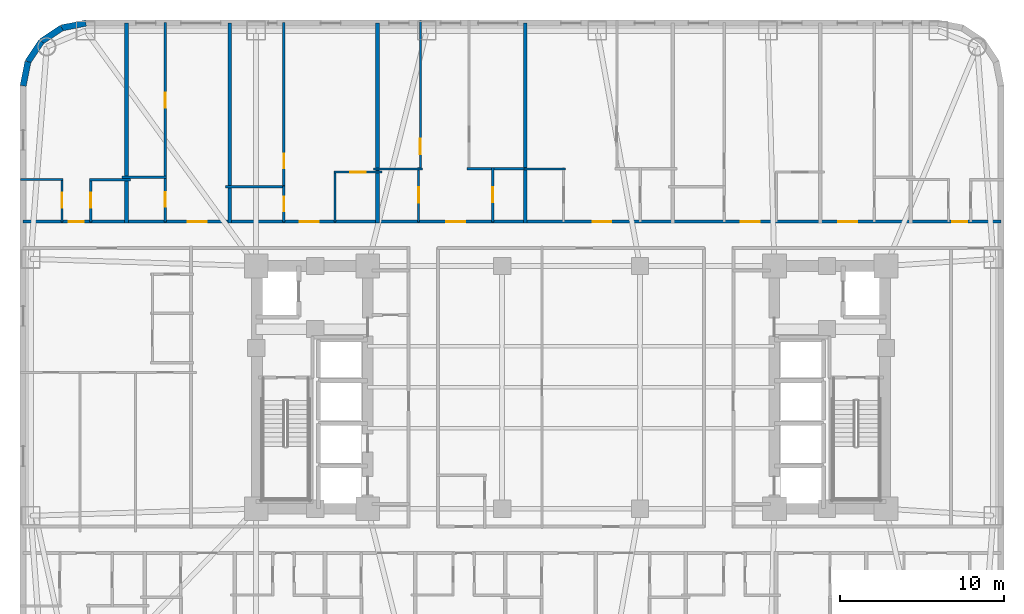
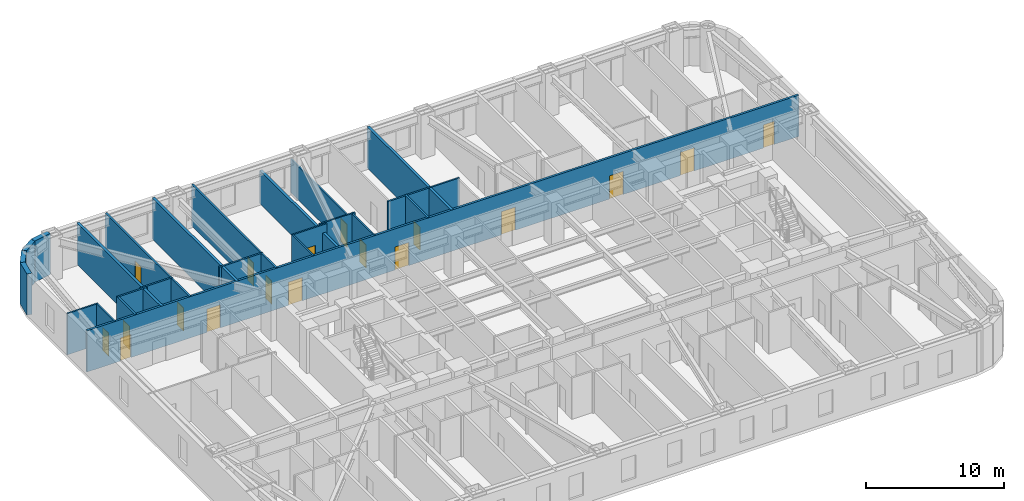
# One storey, part 7 of 11: 27 walls, 18 doors, 18 openings.
"""IFC4 building model written with IfcOpenShell, lengths in metres."""

from ifc_helpers import new_model, si_unit, direction, frame, frame_2d, origin, place, context, subcontext, project, spatial, rectangle, extrude, material, layer, layer_set, type_object, element, fill, save


model = new_model("IFC4")

# Units and contexts
model_context = context("Model", 3, precision=1e-05, world=origin(), true_north=direction((0.0, 1.0)))
body_context = subcontext(model_context, "Body", "Model", "MODEL_VIEW")
ifc_project = project(units=[si_unit("LENGTHUNIT", "METRE"), si_unit("AREAUNIT", "SQUARE_METRE"), si_unit("VOLUMEUNIT", "CUBIC_METRE"), si_unit("PLANEANGLEUNIT", "RADIAN"), si_unit("MASSUNIT", "GRAM", prefix="KILO")], contexts=[model_context])

# Site, building, storey
site_placement = place(None, origin())
site = spatial("IfcSite", under=ifc_project, at=site_placement, CompositionType="ELEMENT")
building_placement = place(site_placement, origin())
building = spatial("IfcBuilding", under=site, at=building_placement, Name="Voryun Gate Residences", CompositionType="ELEMENT")
storey_placement = place(building_placement, frame((0.0, 0.0, 68.89990234375)))
storey = spatial("IfcBuildingStorey", under=building, at=storey_placement, Name="L16", CompositionType="ELEMENT", Elevation=68.89990234375)

# Wall, openings, doors
ifc_material_1 = material(Name="Gypsum acoustic fireboard")
ifc_layer_1 = layer(ifc_material_1, 0.179931640625, Name="W_CORR_RATED_180")
ifc_layer_set_1 = layer_set([ifc_layer_1], Name="Gypsum acoustic fireboard")
wall_type_1 = type_object("IfcWallType", Name="W_CORR_RATED_180", PredefinedType="PARTITIONING", material=ifc_layer_set_1)
wall_1_placement = place(storey_placement, frame((-33.409912109375, 10.10009765625, 0.0), z_axis=(0.0, 0.0, 1.0), x_axis=(1.0, 0.0, 0.0)))
wall_1 = element("IfcWall", 1, at=wall_1_placement, inside=storey, type_object=wall_type_1, Name="Partition wall WP-L16-NCORR", PredefinedType="PARTITIONING", context=body_context, shape_type="SweptSolid", body=[
    extrude(rectangle(XDim=59.619873046875, YDim=0.179931640625, at=frame_2d((29.81005859375, 0.0))), origin(), (0.0, 0.0, 1.0), 3.650146484375),
])
opening_1_placement = place(wall_1_placement, frame((2.793212890625, 0.0, 0.0)))
opening_1 = element("IfcOpeningElement", 2, at=opening_1_placement, cuts=wall_1, Name="Opening D-INT-2", PredefinedType="OPENING", context=body_context, shape_type="SweptSolid", body=[
    extrude(rectangle(XDim=0.89990234375, YDim=2.050048828125, at=frame_2d((0.449951171875, 1.02490234375))), frame((0.0, 0.099853515625, 0.0), z_axis=(0.0, -1.0, 0.0), x_axis=(1.0, 0.0, 0.0)), (0.0, 0.0, 1.0), 0.199951171875),
])
opening_2_placement = place(wall_1_placement, frame((10.037353515625, 0.0, 0.0)))
opening_2 = element("IfcOpeningElement", 3, at=opening_2_placement, cuts=wall_1, Name="Opening D-UNIT-1", PredefinedType="OPENING", context=body_context, shape_type="SweptSolid", body=[
    extrude(rectangle(XDim=1.14990234375, YDim=2.050048828125, at=frame_2d((0.574951171875, 1.02490234375))), frame((0.0, 0.099853515625, 0.0), z_axis=(0.0, -1.0, 0.0), x_axis=(1.0, 0.0, 0.0)), (0.0, 0.0, 1.0), 0.199951171875),
])
opening_3_placement = place(wall_1_placement, frame((16.881591796875, 0.0, 0.0)))
opening_3 = element("IfcOpeningElement", 4, at=opening_3_placement, cuts=wall_1, Name="Opening D-UNIT-1", PredefinedType="OPENING", context=body_context, shape_type="SweptSolid", body=[
    extrude(rectangle(XDim=1.14990234375, YDim=2.050048828125, at=frame_2d((0.574951171875, 1.02490234375))), frame((0.0, 0.099853515625, 0.0), z_axis=(0.0, -1.0, 0.0), x_axis=(1.0, 0.0, 0.0)), (0.0, 0.0, 1.0), 0.199951171875),
])
opening_4_placement = place(wall_1_placement, frame((25.80078125, 0.0, 0.0)))
opening_4 = element("IfcOpeningElement", 5, at=opening_4_placement, cuts=wall_1, Name="Opening D-UNIT-1", PredefinedType="OPENING", context=body_context, shape_type="SweptSolid", body=[
    extrude(rectangle(XDim=1.14990234375, YDim=2.050048828125, at=frame_2d((0.574951171875, 1.02490234375))), frame((0.0, 0.099853515625, 0.0), z_axis=(0.0, -1.0, 0.0), x_axis=(1.0, 0.0, 0.0)), (0.0, 0.0, 1.0), 0.199951171875),
])
opening_5_placement = place(wall_1_placement, frame((34.719970703125, 0.0, 0.0)))
opening_5 = element("IfcOpeningElement", 6, at=opening_5_placement, cuts=wall_1, Name="Opening D-UNIT-1", PredefinedType="OPENING", context=body_context, shape_type="SweptSolid", body=[
    extrude(rectangle(XDim=1.14990234375, YDim=2.050048828125, at=frame_2d((0.574951171875, 1.02490234375))), frame((0.0, 0.099853515625, 0.0), z_axis=(0.0, -1.0, 0.0), x_axis=(1.0, 0.0, 0.0)), (0.0, 0.0, 1.0), 0.199951171875),
])
opening_6_placement = place(wall_1_placement, frame((43.7705078125, 0.0, 0.0)))
opening_6 = element("IfcOpeningElement", 7, at=opening_6_placement, cuts=wall_1, Name="Opening D-UNIT-1", PredefinedType="OPENING", context=body_context, shape_type="SweptSolid", body=[
    extrude(rectangle(XDim=1.14990234375, YDim=2.050048828125, at=frame_2d((0.574951171875, 1.02490234375))), frame((0.0, 0.099853515625, 0.0), z_axis=(0.0, -1.0, 0.0), x_axis=(1.0, 0.0, 0.0)), (0.0, 0.0, 1.0), 0.199951171875),
])
opening_7_placement = place(wall_1_placement, frame((49.714599609375, 0.0, 0.0)))
opening_7 = element("IfcOpeningElement", 8, at=opening_7_placement, cuts=wall_1, Name="Opening D-UNIT-1", PredefinedType="OPENING", context=body_context, shape_type="SweptSolid", body=[
    extrude(rectangle(XDim=1.14990234375, YDim=2.050048828125, at=frame_2d((0.574951171875, 1.02490234375))), frame((0.0, 0.099853515625, 0.0), z_axis=(0.0, -1.0, 0.0), x_axis=(1.0, 0.0, 0.0)), (0.0, 0.0, 1.0), 0.199951171875),
])
opening_8_placement = place(wall_1_placement, frame((56.654052734375, 0.0, 0.0)))
opening_8 = element("IfcOpeningElement", 9, at=opening_8_placement, cuts=wall_1, Name="Opening D-INT-2", PredefinedType="OPENING", context=body_context, shape_type="SweptSolid", body=[
    extrude(rectangle(XDim=0.89990234375, YDim=2.050048828125, at=frame_2d((0.449951171875, 1.02490234375))), frame((0.0, 0.099853515625, 0.0), z_axis=(0.0, -1.0, 0.0), x_axis=(1.0, 0.0, 0.0)), (0.0, 0.0, 1.0), 0.199951171875),
])
ifc_material_2 = material(Name="Architectural oak veneer")
door_type_1 = type_object("IfcDoorType", Name="DR_INT_BATH_900", OperationType="NOTDEFINED", PredefinedType="DOOR", material=ifc_material_2)
door_1_placement = place(opening_1_placement, origin())
door_1 = element("IfcDoor", 10, at=door_1_placement, inside=storey, type_object=door_type_1, Name="Door DR-L16-NENT-1", OperationType="SINGLE_SWING_LEFT", OverallHeight=2.050048828125, OverallWidth=0.89990234375, PredefinedType="DOOR", context=body_context, shape_type="SweptSolid", body=[
    extrude(rectangle(XDim=0.89990234375, YDim=2.050048828125, at=frame_2d((0.449951171875, 1.02490234375))), frame((0.0, 0.02490234375, 0.0), z_axis=(0.0, -1.0, 0.0), x_axis=(1.0, 0.0, 0.0)), (0.0, 0.0, 1.0), 0.050048828125),
])
fill(opening_1, door_1)
door_2_placement = place(opening_8_placement, origin())
door_2 = element("IfcDoor", 11, at=door_2_placement, inside=storey, type_object=door_type_1, Name="Door DR-L16-NENT-8", OperationType="SINGLE_SWING_RIGHT", OverallHeight=2.050048828125, OverallWidth=0.89990234375, PredefinedType="DOOR", context=body_context, shape_type="SweptSolid", body=[
    extrude(rectangle(XDim=0.89990234375, YDim=2.050048828125, at=frame_2d((0.449951171875, 1.02490234375))), frame((0.0, 0.02490234375, 0.0), z_axis=(0.0, -1.0, 0.0), x_axis=(1.0, 0.0, 0.0)), (0.0, 0.0, 1.0), 0.050048828125),
])
fill(opening_8, door_2)
ifc_material_3 = material(Name="Armoured timber-clad fire door", Category="wood")
door_type_2 = type_object("IfcDoorType", Name="DR_UNIT_ENTRY_1150", OperationType="NOTDEFINED", PredefinedType="DOOR", material=ifc_material_3)
door_3_placement = place(opening_2_placement, origin())
door_3 = element("IfcDoor", 12, at=door_3_placement, inside=storey, type_object=door_type_2, Name="Door DR-L16-NENT-2", OperationType="SINGLE_SWING_RIGHT", OverallHeight=2.050048828125, OverallWidth=1.14990234375, PredefinedType="DOOR", context=body_context, shape_type="SweptSolid", body=[
    extrude(rectangle(XDim=1.14990234375, YDim=2.050048828125, at=frame_2d((0.574951171875, 1.02490234375))), frame((0.0, 0.02490234375, 0.0), z_axis=(0.0, -1.0, 0.0), x_axis=(1.0, 0.0, 0.0)), (0.0, 0.0, 1.0), 0.050048828125),
])
fill(opening_2, door_3)
door_4_placement = place(opening_3_placement, origin())
door_4 = element("IfcDoor", 13, at=door_4_placement, inside=storey, type_object=door_type_2, Name="Door DR-L16-NENT-3", OperationType="SINGLE_SWING_LEFT", OverallHeight=2.050048828125, OverallWidth=1.14990234375, PredefinedType="DOOR", context=body_context, shape_type="SweptSolid", body=[
    extrude(rectangle(XDim=1.14990234375, YDim=2.050048828125, at=frame_2d((0.574951171875, 1.02490234375))), frame((0.0, 0.02490234375, 0.0), z_axis=(0.0, -1.0, 0.0), x_axis=(1.0, 0.0, 0.0)), (0.0, 0.0, 1.0), 0.050048828125),
])
fill(opening_3, door_4)
door_5_placement = place(opening_4_placement, origin())
door_5 = element("IfcDoor", 14, at=door_5_placement, inside=storey, type_object=door_type_2, Name="Door DR-L16-NENT-4", OperationType="SINGLE_SWING_RIGHT", OverallHeight=2.050048828125, OverallWidth=1.14990234375, PredefinedType="DOOR", context=body_context, shape_type="SweptSolid", body=[
    extrude(rectangle(XDim=1.14990234375, YDim=2.050048828125, at=frame_2d((0.574951171875, 1.02490234375))), frame((0.0, 0.02490234375, 0.0), z_axis=(0.0, -1.0, 0.0), x_axis=(1.0, 0.0, 0.0)), (0.0, 0.0, 1.0), 0.050048828125),
])
fill(opening_4, door_5)
door_6_placement = place(opening_5_placement, origin())
door_6 = element("IfcDoor", 15, at=door_6_placement, inside=storey, type_object=door_type_2, Name="Door DR-L16-NENT-5", OperationType="SINGLE_SWING_LEFT", OverallHeight=2.050048828125, OverallWidth=1.14990234375, PredefinedType="DOOR", context=body_context, shape_type="SweptSolid", body=[
    extrude(rectangle(XDim=1.14990234375, YDim=2.050048828125, at=frame_2d((0.574951171875, 1.02490234375))), frame((0.0, 0.02490234375, 0.0), z_axis=(0.0, -1.0, 0.0), x_axis=(1.0, 0.0, 0.0)), (0.0, 0.0, 1.0), 0.050048828125),
])
fill(opening_5, door_6)
door_7_placement = place(opening_6_placement, origin())
door_7 = element("IfcDoor", 16, at=door_7_placement, inside=storey, type_object=door_type_2, Name="Door DR-L16-NENT-6", OperationType="SINGLE_SWING_RIGHT", OverallHeight=2.050048828125, OverallWidth=1.14990234375, PredefinedType="DOOR", context=body_context, shape_type="SweptSolid", body=[
    extrude(rectangle(XDim=1.14990234375, YDim=2.050048828125, at=frame_2d((0.574951171875, 1.02490234375))), frame((0.0, 0.02490234375, 0.0), z_axis=(0.0, -1.0, 0.0), x_axis=(1.0, 0.0, 0.0)), (0.0, 0.0, 1.0), 0.050048828125),
])
fill(opening_6, door_7)
door_8_placement = place(opening_7_placement, origin())
door_8 = element("IfcDoor", 17, at=door_8_placement, inside=storey, type_object=door_type_2, Name="Door DR-L16-NENT-7", OperationType="SINGLE_SWING_LEFT", OverallHeight=2.050048828125, OverallWidth=1.14990234375, PredefinedType="DOOR", context=body_context, shape_type="SweptSolid", body=[
    extrude(rectangle(XDim=1.14990234375, YDim=2.050048828125, at=frame_2d((0.574951171875, 1.02490234375))), frame((0.0, 0.02490234375, 0.0), z_axis=(0.0, -1.0, 0.0), x_axis=(1.0, 0.0, 0.0)), (0.0, 0.0, 1.0), 0.050048828125),
])
fill(opening_7, door_8)

# Walls
ifc_material_4 = material(Name="Granite masonry", Category="masonry")
ifc_layer_2 = layer(ifc_material_4, 0.3798828125, Name="W_EXT_GRANITE_380")
ifc_layer_set_2 = layer_set([ifc_layer_2], Name="Granite masonry")
wall_type_2 = type_object("IfcWallType", Name="W_EXT_GRANITE_380", PredefinedType="ELEMENTEDWALL", material=ifc_layer_set_2)
wall_2_placement = place(storey_placement, frame((-33.409912109375, 18.38134765625, 0.0), z_axis=(0.0, 0.0, 1.0), x_axis=(0.195086038585, 0.980786132421, 0.0)))
element("IfcWall", 18, at=wall_2_placement, inside=storey, type_object=wall_type_2, Name="Exterior wall WEXT-L16-07", PredefinedType="ELEMENTEDWALL", context=body_context, shape_type="SweptSolid", body=[
    extrude(rectangle(XDim=1.504150390625, YDim=0.3798828125, at=frame_2d((0.751953125, 0.0))), origin(), (0.0, 0.0, 1.0), 3.650146484375),
])
wall_3_placement = place(storey_placement, frame((-33.116455078125, 19.856689453125, 0.0), z_axis=(0.0, 0.0, 1.0), x_axis=(0.555572577804, 0.831468045563, 0.0)))
element("IfcWall", 19, at=wall_3_placement, inside=storey, type_object=wall_type_2, Name="Exterior wall WEXT-L16-08", PredefinedType="ELEMENTEDWALL", context=body_context, shape_type="SweptSolid", body=[
    extrude(rectangle(XDim=1.48486328125, YDim=0.3798828125, at=frame_2d((0.742431640625, 0.0))), origin(), (0.0, 0.0, 1.0), 3.650146484375),
])
wall_4_placement = place(storey_placement, frame((-32.29150390625, 21.09130859375, 0.0), z_axis=(0.0, 0.0, 1.0), x_axis=(0.831442848281, 0.555610286119, 0.0)))
element("IfcWall", 20, at=wall_4_placement, inside=storey, type_object=wall_type_2, Name="Exterior wall WEXT-L16-09", PredefinedType="ELEMENTEDWALL", context=body_context, shape_type="SweptSolid", body=[
    extrude(rectangle(XDim=1.485107421875, YDim=0.3798828125, at=frame_2d((0.74267578125, 0.0))), origin(), (0.0, 0.0, 1.0), 3.650146484375),
])
wall_5_placement = place(storey_placement, frame((-31.056640625, 21.91650390625, 0.0), z_axis=(0.0, 0.0, 1.0), x_axis=(0.980786132421, 0.195086038585, 0.0)))
element("IfcWall", 21, at=wall_5_placement, inside=storey, type_object=wall_type_2, Name="Exterior wall WEXT-L16-10", PredefinedType="ELEMENTEDWALL", context=body_context, shape_type="SweptSolid", body=[
    extrude(rectangle(XDim=1.504150390625, YDim=0.3798828125, at=frame_2d((0.751953125, 0.0))), origin(), (0.0, 0.0, 1.0), 3.650146484375),
])
ifc_material_5 = material(Name="Concrete C40/50", Category="concrete")
ifc_layer_3 = layer(ifc_material_5, 0.219970703125, Name="W_PARTY_ACOUSTIC_220")
ifc_layer_set_3 = layer_set([ifc_layer_3], Name="Concrete C40/50")
wall_type_3 = type_object("IfcWallType", Name="W_PARTY_ACOUSTIC_220", PredefinedType="PARTITIONING", material=ifc_layer_set_3)
for number, where, z_axis, x_axis, name in (
    (22, (-27.10888671875, 10.02001953125, 0.0), (0.0, 0.0, 1.0), (0.0, 1.0, 0.0), "Partition wall WP-L16-NPTY-1"),
    (23, (-20.800048828125, 10.02001953125, 0.0), (0.0, 0.0, 1.0), (0.0, 1.0, 0.0), "Partition wall WP-L16-NPTY-2"),
):
    element("IfcWall", number, at=place(storey_placement, frame(where, z_axis=z_axis, x_axis=x_axis)), inside=storey, type_object=wall_type_3, Name=name, PredefinedType="PARTITIONING", context=body_context, shape_type="SweptSolid", body=[
        extrude(rectangle(XDim=12.18994140625, YDim=0.219970703125, at=frame_2d((6.094970703125, 0.0))), origin(), (0.0, 0.0, 1.0), 3.650146484375),
    ])
wall_6_placement = place(storey_placement, frame((-11.800048828125, 10.02001953125, 0.0), z_axis=(0.0, 0.0, 1.0), x_axis=(0.0, 1.0, 0.0)))
element("IfcWall", 24, at=wall_6_placement, inside=storey, type_object=wall_type_3, Name="Partition wall WP-L16-NPTY-3", PredefinedType="PARTITIONING", context=body_context, shape_type="SweptSolid", body=[
    extrude(rectangle(XDim=12.18994140625, YDim=0.219970703125, at=frame_2d((6.094970703125, 0.0))), origin(), (0.0, 0.0, 1.0), 2.940185546875),
])
wall_7_placement = place(storey_placement, frame((-2.800048828125, 10.02001953125, 0.0), z_axis=(0.0, 0.0, 1.0), x_axis=(0.0, 1.0, 0.0)))
element("IfcWall", 25, at=wall_7_placement, inside=storey, type_object=wall_type_3, Name="Partition wall WP-L16-NPTY-4", PredefinedType="PARTITIONING", context=body_context, shape_type="SweptSolid", body=[
    extrude(rectangle(XDim=12.18994140625, YDim=0.219970703125, at=frame_2d((6.094970703125, 0.0))), origin(), (0.0, 0.0, 1.0), 3.650146484375),
])

# Wall, opening, door
ifc_material_6 = material(Name="Gypsum acoustic partition")
ifc_layer_4 = layer(ifc_material_6, 0.125, Name="W_UNIT_PART_125")
ifc_layer_set_4 = layer_set([ifc_layer_4], Name="Gypsum acoustic partition")
wall_type_4 = type_object("IfcWallType", Name="W_UNIT_PART_125", PredefinedType="PARTITIONING", material=ifc_layer_set_4)
wall_8_placement = place(storey_placement, frame((-31.04296875, 10.080078125, 0.0), z_axis=(0.0, 0.0, 1.0), x_axis=(0.0, 1.0, 0.0)))
wall_8 = element("IfcWall", 26, at=wall_8_placement, inside=storey, type_object=wall_type_4, Name="Partition wall WP-L16-N1-CVK", PredefinedType="PARTITIONING", context=body_context, shape_type="SweptSolid", body=[
    extrude(rectangle(XDim=2.64990234375, YDim=0.125, at=frame_2d((1.324951171875, 0.0))), origin(), (0.0, 0.0, 1.0), 3.650146484375),
])
opening_9_placement = place(wall_8_placement, frame((0.875, 0.0, 0.0)))
opening_9 = element("IfcOpeningElement", 27, at=opening_9_placement, cuts=wall_8, Name="Opening D-INT-2", PredefinedType="OPENING", context=body_context, shape_type="SweptSolid", body=[
    extrude(rectangle(XDim=0.89990234375, YDim=2.050048828125, at=frame_2d((0.449951171875, 1.02490234375))), frame((0.0, 0.072509765625, 0.0), z_axis=(0.0, -1.0, 0.0), x_axis=(1.0, 0.0, 0.0)), (0.0, 0.0, 1.0), 0.14501953125),
])
door_9_placement = place(opening_9_placement, origin())
door_9 = element("IfcDoor", 28, at=door_9_placement, inside=storey, type_object=door_type_1, Name="Door DR-L16-N1-DK", OperationType="SINGLE_SWING_LEFT", OverallHeight=2.050048828125, OverallWidth=0.89990234375, PredefinedType="DOOR", context=body_context, shape_type="SweptSolid", body=[
    extrude(rectangle(XDim=0.89990234375, YDim=2.050048828125, at=frame_2d((0.449951171875, 1.02490234375))), frame((0.0, 0.02490234375, 0.0), z_axis=(0.0, -1.0, 0.0), x_axis=(1.0, 0.0, 0.0)), (0.0, 0.0, 1.0), 0.050048828125),
])
fill(opening_9, door_9)

# Wall
wall_9_placement = place(storey_placement, frame((-33.56005859375, 12.669921875, 0.0), z_axis=(0.0, 0.0, 1.0), x_axis=(1.0, 0.0, 0.0)))
element("IfcWall", 29, at=wall_9_placement, inside=storey, type_object=wall_type_4, Name="Partition wall WP-L16-N1-CHK", PredefinedType="PARTITIONING", context=body_context, shape_type="SweptSolid", body=[
    extrude(rectangle(XDim=2.5771484375, YDim=0.125, at=frame_2d((1.28857421875, 0.0))), origin(), (0.0, 0.0, 1.0), 3.650146484375),
])

# Wall, opening, door
wall_10_placement = place(storey_placement, frame((-14.4619140625, 13.1201171875, 0.0), z_axis=(0.0, 0.0, 1.0), x_axis=(1.0, 0.0, 0.0)))
wall_10 = element("IfcWall", 30, at=wall_10_placement, inside=storey, type_object=wall_type_4, Name="Partition wall WP-L16-N3-KHY", PredefinedType="PARTITIONING", context=body_context, shape_type="SweptSolid", body=[
    extrude(rectangle(XDim=2.921875, YDim=0.125, at=frame_2d((1.4609375, 0.0))), origin(), (0.0, 0.0, 1.0), 3.650146484375),
])
opening_10_placement = place(wall_10_placement, frame((0.986083984375, 0.0, 0.0)))
opening_10 = element("IfcOpeningElement", 31, at=opening_10_placement, cuts=wall_10, Name="Opening D-INT-1", PredefinedType="OPENING", context=body_context, shape_type="SweptSolid", body=[
    extrude(rectangle(XDim=0.949951171875, YDim=2.050048828125, at=frame_2d((0.47509765625, 1.02490234375))), frame((0.0, 0.072509765625, 0.0), z_axis=(0.0, -1.0, 0.0), x_axis=(1.0, 0.0, 0.0)), (0.0, 0.0, 1.0), 0.14501953125),
])
ifc_material_7 = material(Name="Architectural oak veneer")
door_type_3 = type_object("IfcDoorType", Name="DR_INT_ROOM_950", OperationType="NOTDEFINED", PredefinedType="DOOR", material=ifc_material_7)
door_10_placement = place(opening_10_placement, origin())
door_10 = element("IfcDoor", 32, at=door_10_placement, inside=storey, type_object=door_type_3, Name="Door DR-L16-N3-DK", OperationType="SINGLE_SWING_LEFT", OverallHeight=2.050048828125, OverallWidth=0.949951171875, PredefinedType="DOOR", context=body_context, shape_type="SweptSolid", body=[
    extrude(rectangle(XDim=0.949951171875, YDim=2.050048828125, at=frame_2d((0.47509765625, 1.02490234375))), frame((0.0, 0.02490234375, 0.0), z_axis=(0.0, -1.0, 0.0), x_axis=(1.0, 0.0, 0.0)), (0.0, 0.0, 1.0), 0.050048828125),
])
fill(opening_10, door_10)

# Wall
wall_11_placement = place(storey_placement, frame((-14.402099609375, 10.080078125, 0.0), z_axis=(0.0, 0.0, 1.0), x_axis=(0.0, 1.0, 0.0)))
element("IfcWall", 33, at=wall_11_placement, inside=storey, type_object=wall_type_4, Name="Partition wall WP-L16-N3-KVX", PredefinedType="PARTITIONING", context=body_context, shape_type="SweptSolid", body=[
    extrude(rectangle(XDim=3.099853515625, YDim=0.125, at=frame_2d((1.5498046875, 0.0))), origin(), (0.0, 0.0, 1.0), 3.650146484375),
])

# Wall, opening, door
wall_12_placement = place(storey_placement, frame((-9.18994140625, 13.239990234375, 0.0), z_axis=(0.0, 0.0, 1.0), x_axis=(0.0, 1.0, 0.0)))
wall_12 = element("IfcWall", 34, at=wall_12_placement, inside=storey, type_object=wall_type_4, Name="Partition wall WP-L16-N4-OVL", PredefinedType="PARTITIONING", context=body_context, shape_type="SweptSolid", body=[
    extrude(rectangle(XDim=9.1201171875, YDim=0.125, at=frame_2d((4.56005859375, 0.0))), origin(), (0.0, 0.0, 1.0), 2.940185546875),
])
opening_11_placement = place(wall_12_placement, frame((0.984130859375, 0.0, 0.0)))
opening_11 = element("IfcOpeningElement", 35, at=opening_11_placement, cuts=wall_12, Name="Opening D-INT-1", PredefinedType="OPENING", context=body_context, shape_type="SweptSolid", body=[
    extrude(rectangle(XDim=0.949951171875, YDim=2.050048828125, at=frame_2d((0.47509765625, 1.02490234375))), frame((0.0, 0.072509765625, 0.0), z_axis=(0.0, -1.0, 0.0), x_axis=(1.0, 0.0, 0.0)), (0.0, 0.0, 1.0), 0.14501953125),
])
door_11_placement = place(opening_11_placement, origin())
door_11 = element("IfcDoor", 36, at=door_11_placement, inside=storey, type_object=door_type_3, Name="Door DR-L16-N4-DB2", OperationType="SINGLE_SWING_LEFT", OverallHeight=2.050048828125, OverallWidth=0.949951171875, PredefinedType="DOOR", context=body_context, shape_type="SweptSolid", body=[
    extrude(rectangle(XDim=0.949951171875, YDim=2.050048828125, at=frame_2d((0.47509765625, 1.02490234375))), frame((0.0, 0.02490234375, 0.0), z_axis=(0.0, -1.0, 0.0), x_axis=(1.0, 0.0, 0.0)), (0.0, 0.0, 1.0), 0.050048828125),
])
fill(opening_11, door_11)

wall_13_placement = place(storey_placement, frame((-9.2890625, 10.080078125, 0.0), z_axis=(0.0, 0.0, 1.0), x_axis=(0.0, 1.0, 0.0)))
wall_13 = element("IfcWall", 37, at=wall_13_placement, inside=storey, type_object=wall_type_4, Name="Partition wall WP-L16-N4-IVK", PredefinedType="PARTITIONING", context=body_context, shape_type="SweptSolid", body=[
    extrude(rectangle(XDim=3.31982421875, YDim=0.125, at=frame_2d((1.659912109375, 0.0))), origin(), (0.0, 0.0, 1.0), 3.650146484375),
])
opening_12_placement = place(wall_13_placement, frame((1.18505859375, 0.0, 0.0)))
opening_12 = element("IfcOpeningElement", 38, at=opening_12_placement, cuts=wall_13, Name="Opening D-INT-1", PredefinedType="OPENING", context=body_context, shape_type="SweptSolid", body=[
    extrude(rectangle(XDim=0.949951171875, YDim=2.050048828125, at=frame_2d((0.47509765625, 1.02490234375))), frame((0.0, 0.072509765625, 0.0), z_axis=(0.0, -1.0, 0.0), x_axis=(1.0, 0.0, 0.0)), (0.0, 0.0, 1.0), 0.14501953125),
])
door_12_placement = place(opening_12_placement, origin())
door_12 = element("IfcDoor", 39, at=door_12_placement, inside=storey, type_object=door_type_3, Name="Door DR-L16-N4-DK", OperationType="SINGLE_SWING_LEFT", OverallHeight=2.050048828125, OverallWidth=0.949951171875, PredefinedType="DOOR", context=body_context, shape_type="SweptSolid", body=[
    extrude(rectangle(XDim=0.949951171875, YDim=2.050048828125, at=frame_2d((0.47509765625, 1.02490234375))), frame((0.0, 0.02490234375, 0.0), z_axis=(0.0, -1.0, 0.0), x_axis=(1.0, 0.0, 0.0)), (0.0, 0.0, 1.0), 0.050048828125),
])
fill(opening_12, door_12)

# Walls
wall_14_placement = place(storey_placement, frame((-12.06005859375, 13.320068359375, 0.0), z_axis=(0.0, 0.0, 1.0), x_axis=(1.0, 0.0, 0.0)))
element("IfcWall", 40, at=wall_14_placement, inside=storey, type_object=wall_type_4, Name="Partition wall WP-L16-N4-HZK", PredefinedType="PARTITIONING", context=body_context, shape_type="SweptSolid", body=[
    extrude(rectangle(XDim=2.989990234375, YDim=0.125, at=frame_2d((1.4951171875, 0.0))), origin(), (0.0, 0.0, 1.0), 3.650146484375),
])
wall_15_placement = place(storey_placement, frame((-2.875, 13.320068359375, 0.0), z_axis=(0.0, 0.0, 1.0), x_axis=(1.0, 0.0, 0.0)))
element("IfcWall", 41, at=wall_15_placement, inside=storey, type_object=wall_type_4, Name="Partition wall WP-L16-N5-HZK", PredefinedType="PARTITIONING", context=body_context, shape_type="SweptSolid", body=[
    extrude(rectangle(XDim=2.5458984375, YDim=0.125, at=frame_2d((1.27294921875, 0.0))), origin(), (0.0, 0.0, 1.0), 3.650146484375),
])

# Wall, opening, door
ifc_material_8 = material(Name="Gypsum moisture-resistant partition")
ifc_layer_5 = layer(ifc_material_8, 0.14990234375, Name="W_WET_PLUMB_150")
ifc_layer_set_5 = layer_set([ifc_layer_5], Name="Gypsum moisture-resistant partition")
wall_type_5 = type_object("IfcWallType", Name="W_WET_PLUMB_150", PredefinedType="PLUMBINGWALL", material=ifc_layer_set_5)
wall_16_placement = place(storey_placement, frame((-29.2939453125, 10.080078125, 0.0), z_axis=(0.0, 0.0, 1.0), x_axis=(0.0, 1.0, 0.0)))
wall_16 = element("IfcWall", 42, at=wall_16_placement, inside=storey, type_object=wall_type_5, Name="Partition wall WP-L16-N1-CVB", PredefinedType="PLUMBINGWALL", context=body_context, shape_type="SweptSolid", body=[
    extrude(rectangle(XDim=2.64990234375, YDim=0.14990234375, at=frame_2d((1.324951171875, 0.0))), origin(), (0.0, 0.0, 1.0), 3.650146484375),
])
opening_13_placement = place(wall_16_placement, frame((0.875, 0.0, 0.0)))
opening_13 = element("IfcOpeningElement", 43, at=opening_13_placement, cuts=wall_16, Name="Opening D-INT-2", PredefinedType="OPENING", context=body_context, shape_type="SweptSolid", body=[
    extrude(rectangle(XDim=0.89990234375, YDim=2.050048828125, at=frame_2d((0.449951171875, 1.02490234375))), frame((0.0, 0.0849609375, 0.0), z_axis=(0.0, -1.0, 0.0), x_axis=(1.0, 0.0, 0.0)), (0.0, 0.0, 1.0), 0.169921875),
])
door_13_placement = place(opening_13_placement, origin())
door_13 = element("IfcDoor", 44, at=door_13_placement, inside=storey, type_object=door_type_1, Name="Door DR-L16-N1-DB", OperationType="SINGLE_SWING_RIGHT", OverallHeight=2.050048828125, OverallWidth=0.89990234375, PredefinedType="DOOR", context=body_context, shape_type="SweptSolid", body=[
    extrude(rectangle(XDim=0.89990234375, YDim=2.050048828125, at=frame_2d((0.449951171875, 1.02490234375))), frame((0.0, 0.02490234375, 0.0), z_axis=(0.0, -1.0, 0.0), x_axis=(1.0, 0.0, 0.0)), (0.0, 0.0, 1.0), 0.050048828125),
])
fill(opening_13, door_13)

# Walls
wall_17_placement = place(storey_placement, frame((-29.35400390625, 12.669921875, 0.0), z_axis=(0.0, 0.0, 1.0), x_axis=(1.0, 0.0, 0.0)))
element("IfcWall", 45, at=wall_17_placement, inside=storey, type_object=wall_type_5, Name="Partition wall WP-L16-N1-CHB", PredefinedType="PLUMBINGWALL", context=body_context, shape_type="SweptSolid", body=[
    extrude(rectangle(XDim=2.5048828125, YDim=0.14990234375, at=frame_2d((1.25244140625, 0.0))), origin(), (0.0, 0.0, 1.0), 3.650146484375),
])
wall_18_placement = place(storey_placement, frame((-27.368896484375, 12.800048828125, 0.0), z_axis=(0.0, 0.0, 1.0), x_axis=(1.0, 0.0, 0.0)))
element("IfcWall", 46, at=wall_18_placement, inside=storey, type_object=wall_type_5, Name="Partition wall WP-L16-N2-SKB", PredefinedType="PLUMBINGWALL", context=body_context, shape_type="SweptSolid", body=[
    extrude(rectangle(XDim=2.7080078125, YDim=0.14990234375, at=frame_2d((1.35400390625, 0.0))), origin(), (0.0, 0.0, 1.0), 3.650146484375),
])

# Wall, opening, door
wall_19_placement = place(storey_placement, frame((-24.740966796875, 10.080078125, 0.0), z_axis=(0.0, 0.0, 1.0), x_axis=(0.0, 1.0, 0.0)))
wall_19 = element("IfcWall", 47, at=wall_19_placement, inside=storey, type_object=wall_type_5, Name="Partition wall WP-L16-N2-SVT1", PredefinedType="PLUMBINGWALL", context=body_context, shape_type="SweptSolid", body=[
    extrude(rectangle(XDim=2.760009765625, YDim=0.14990234375, at=frame_2d((1.3798828125, 0.0))), origin(), (0.0, 0.0, 1.0), 3.650146484375),
])
opening_14_placement = place(wall_19_placement, frame((0.929931640625, 0.0, 0.0)))
opening_14 = element("IfcOpeningElement", 48, at=opening_14_placement, cuts=wall_19, Name="Opening D-INT-2", PredefinedType="OPENING", context=body_context, shape_type="SweptSolid", body=[
    extrude(rectangle(XDim=0.89990234375, YDim=2.050048828125, at=frame_2d((0.449951171875, 1.02490234375))), frame((0.0, 0.0849609375, 0.0), z_axis=(0.0, -1.0, 0.0), x_axis=(1.0, 0.0, 0.0)), (0.0, 0.0, 1.0), 0.169921875),
])
door_14_placement = place(opening_14_placement, origin())
door_14 = element("IfcDoor", 49, at=door_14_placement, inside=storey, type_object=door_type_1, Name="Door DR-L16-N2-DB", OperationType="SINGLE_SWING_LEFT", OverallHeight=2.050048828125, OverallWidth=0.89990234375, PredefinedType="DOOR", context=body_context, shape_type="SweptSolid", body=[
    extrude(rectangle(XDim=0.89990234375, YDim=2.050048828125, at=frame_2d((0.449951171875, 1.02490234375))), frame((0.0, 0.02490234375, 0.0), z_axis=(0.0, -1.0, 0.0), x_axis=(1.0, 0.0, 0.0)), (0.0, 0.0, 1.0), 0.050048828125),
])
fill(opening_14, door_14)

wall_20_placement = place(storey_placement, frame((-24.740966796875, 12.760009765625, 0.0), z_axis=(0.0, 0.0, 1.0), x_axis=(0.0, 1.0, 0.0)))
wall_20 = element("IfcWall", 50, at=wall_20_placement, inside=storey, type_object=wall_type_5, Name="Partition wall WP-L16-N2-SVT2", PredefinedType="PLUMBINGWALL", context=body_context, shape_type="SweptSolid", body=[
    extrude(rectangle(XDim=9.49755859375, YDim=0.14990234375, at=frame_2d((4.748779296875, 0.0))), origin(), (0.0, 0.0, 1.0), 3.650146484375),
])
opening_15_placement = place(wall_20_placement, frame((4.298828125, 0.0, 0.0)))
opening_15 = element("IfcOpeningElement", 51, at=opening_15_placement, cuts=wall_20, Name="Opening D-INT-2", PredefinedType="OPENING", context=body_context, shape_type="SweptSolid", body=[
    extrude(rectangle(XDim=0.89990234375, YDim=2.050048828125, at=frame_2d((0.449951171875, 1.02490234375))), frame((0.0, 0.0849609375, 0.0), z_axis=(0.0, -1.0, 0.0), x_axis=(1.0, 0.0, 0.0)), (0.0, 0.0, 1.0), 0.169921875),
])
door_15_placement = place(opening_15_placement, origin())
door_15 = element("IfcDoor", 52, at=door_15_placement, inside=storey, type_object=door_type_1, Name="Door DR-L16-N2-DK", OperationType="SINGLE_SWING_RIGHT", OverallHeight=2.050048828125, OverallWidth=0.89990234375, PredefinedType="DOOR", context=body_context, shape_type="SweptSolid", body=[
    extrude(rectangle(XDim=0.89990234375, YDim=2.050048828125, at=frame_2d((0.449951171875, 1.02490234375))), frame((0.0, 0.02490234375, 0.0), z_axis=(0.0, -1.0, 0.0), x_axis=(1.0, 0.0, 0.0)), (0.0, 0.0, 1.0), 0.050048828125),
])
fill(opening_15, door_15)

# Wall
wall_21_placement = place(storey_placement, frame((-21.06005859375, 12.239990234375, 0.0), z_axis=(0.0, 0.0, 1.0), x_axis=(1.0, 0.0, 0.0)))
element("IfcWall", 53, at=wall_21_placement, inside=storey, type_object=wall_type_5, Name="Partition wall WP-L16-N3-LHY", PredefinedType="PLUMBINGWALL", context=body_context, shape_type="SweptSolid", body=[
    extrude(rectangle(XDim=3.632080078125, YDim=0.14990234375, at=frame_2d((1.81591796875, 0.0))), origin(), (0.0, 0.0, 1.0), 3.650146484375),
])

# Wall, opening, door
wall_22_placement = place(storey_placement, frame((-17.508056640625, 10.080078125, 0.0), z_axis=(0.0, 0.0, 1.0), x_axis=(0.0, 1.0, 0.0)))
wall_22 = element("IfcWall", 54, at=wall_22_placement, inside=storey, type_object=wall_type_5, Name="Partition wall WP-L16-N3-LVX1", PredefinedType="PLUMBINGWALL", context=body_context, shape_type="SweptSolid", body=[
    extrude(rectangle(XDim=2.199951171875, YDim=0.14990234375, at=frame_2d((1.10009765625, 0.0))), origin(), (0.0, 0.0, 1.0), 3.650146484375),
])
opening_16_placement = place(wall_22_placement, frame((0.64990234375, 0.0, 0.0)))
opening_16 = element("IfcOpeningElement", 55, at=opening_16_placement, cuts=wall_22, Name="Opening D-INT-2", PredefinedType="OPENING", context=body_context, shape_type="SweptSolid", body=[
    extrude(rectangle(XDim=0.89990234375, YDim=2.050048828125, at=frame_2d((0.449951171875, 1.02490234375))), frame((0.0, 0.0849609375, 0.0), z_axis=(0.0, -1.0, 0.0), x_axis=(1.0, 0.0, 0.0)), (0.0, 0.0, 1.0), 0.169921875),
])
door_16_placement = place(opening_16_placement, origin())
door_16 = element("IfcDoor", 56, at=door_16_placement, inside=storey, type_object=door_type_1, Name="Door DR-L16-N3-DB", OperationType="SINGLE_SWING_LEFT", OverallHeight=2.050048828125, OverallWidth=0.89990234375, PredefinedType="DOOR", context=body_context, shape_type="SweptSolid", body=[
    extrude(rectangle(XDim=0.89990234375, YDim=2.050048828125, at=frame_2d((0.449951171875, 1.02490234375))), frame((0.0, 0.02490234375, 0.0), z_axis=(0.0, -1.0, 0.0), x_axis=(1.0, 0.0, 0.0)), (0.0, 0.0, 1.0), 0.050048828125),
])
fill(opening_16, door_16)

wall_23_placement = place(storey_placement, frame((-17.508056640625, 12.199951171875, 0.0), z_axis=(0.0, 0.0, 1.0), x_axis=(0.0, 1.0, 0.0)))
wall_23 = element("IfcWall", 57, at=wall_23_placement, inside=storey, type_object=wall_type_5, Name="Partition wall WP-L16-N3-LVX2", PredefinedType="PLUMBINGWALL", context=body_context, shape_type="SweptSolid", body=[
    extrude(rectangle(XDim=10.0576171875, YDim=0.14990234375, at=frame_2d((5.02880859375, 0.0))), origin(), (0.0, 0.0, 1.0), 3.650146484375),
])
opening_17_placement = place(wall_23_placement, frame((1.1591796875, 0.0, 0.0)))
opening_17 = element("IfcOpeningElement", 58, at=opening_17_placement, cuts=wall_23, Name="Opening D-INT-2", PredefinedType="OPENING", context=body_context, shape_type="SweptSolid", body=[
    extrude(rectangle(XDim=0.89990234375, YDim=2.050048828125, at=frame_2d((0.449951171875, 1.02490234375))), frame((0.0, 0.0849609375, 0.0), z_axis=(0.0, -1.0, 0.0), x_axis=(1.0, 0.0, 0.0)), (0.0, 0.0, 1.0), 0.169921875),
])
door_17_placement = place(opening_17_placement, origin())
door_17 = element("IfcDoor", 59, at=door_17_placement, inside=storey, type_object=door_type_1, Name="Door DR-L16-N3-DMB", OperationType="SINGLE_SWING_RIGHT", OverallHeight=2.050048828125, OverallWidth=0.89990234375, PredefinedType="DOOR", context=body_context, shape_type="SweptSolid", body=[
    extrude(rectangle(XDim=0.89990234375, YDim=2.050048828125, at=frame_2d((0.449951171875, 1.02490234375))), frame((0.0, 0.02490234375, 0.0), z_axis=(0.0, -1.0, 0.0), x_axis=(1.0, 0.0, 0.0)), (0.0, 0.0, 1.0), 0.050048828125),
])
fill(opening_17, door_17)

# Wall
wall_24_placement = place(storey_placement, frame((-6.330078125, 13.320068359375, 0.0), z_axis=(0.0, 0.0, 1.0), x_axis=(1.0, 0.0, 0.0)))
element("IfcWall", 60, at=wall_24_placement, inside=storey, type_object=wall_type_5, Name="Partition wall WP-L16-N4-HZB", PredefinedType="PLUMBINGWALL", context=body_context, shape_type="SweptSolid", body=[
    extrude(rectangle(XDim=3.60498046875, YDim=0.14990234375, at=frame_2d((1.802490234375, 0.0))), origin(), (0.0, 0.0, 1.0), 3.650146484375),
])

# Wall, opening, door
wall_25_placement = place(storey_placement, frame((-4.780029296875, 10.080078125, 0.0), z_axis=(0.0, 0.0, 1.0), x_axis=(0.0, 1.0, 0.0)))
wall_25 = element("IfcWall", 61, at=wall_25_placement, inside=storey, type_object=wall_type_5, Name="Partition wall WP-L16-N4-IVB", PredefinedType="PLUMBINGWALL", context=body_context, shape_type="SweptSolid", body=[
    extrude(rectangle(XDim=3.31982421875, YDim=0.14990234375, at=frame_2d((1.659912109375, 0.0))), origin(), (0.0, 0.0, 1.0), 3.650146484375),
])
opening_18_placement = place(wall_25_placement, frame((1.2099609375, 0.0, 0.0)))
opening_18 = element("IfcOpeningElement", 62, at=opening_18_placement, cuts=wall_25, Name="Opening D-INT-2", PredefinedType="OPENING", context=body_context, shape_type="SweptSolid", body=[
    extrude(rectangle(XDim=0.89990234375, YDim=2.050048828125, at=frame_2d((0.449951171875, 1.02490234375))), frame((0.0, 0.0849609375, 0.0), z_axis=(0.0, -1.0, 0.0), x_axis=(1.0, 0.0, 0.0)), (0.0, 0.0, 1.0), 0.169921875),
])
door_18_placement = place(opening_18_placement, origin())
door_18 = element("IfcDoor", 63, at=door_18_placement, inside=storey, type_object=door_type_1, Name="Door DR-L16-N4-DB", OperationType="SINGLE_SWING_RIGHT", OverallHeight=2.050048828125, OverallWidth=0.89990234375, PredefinedType="DOOR", context=body_context, shape_type="SweptSolid", body=[
    extrude(rectangle(XDim=0.89990234375, YDim=2.050048828125, at=frame_2d((0.449951171875, 1.02490234375))), frame((0.0, 0.02490234375, 0.0), z_axis=(0.0, -1.0, 0.0), x_axis=(1.0, 0.0, 0.0)), (0.0, 0.0, 1.0), 0.050048828125),
])
fill(opening_18, door_18)

save(model, "model.ifc")
